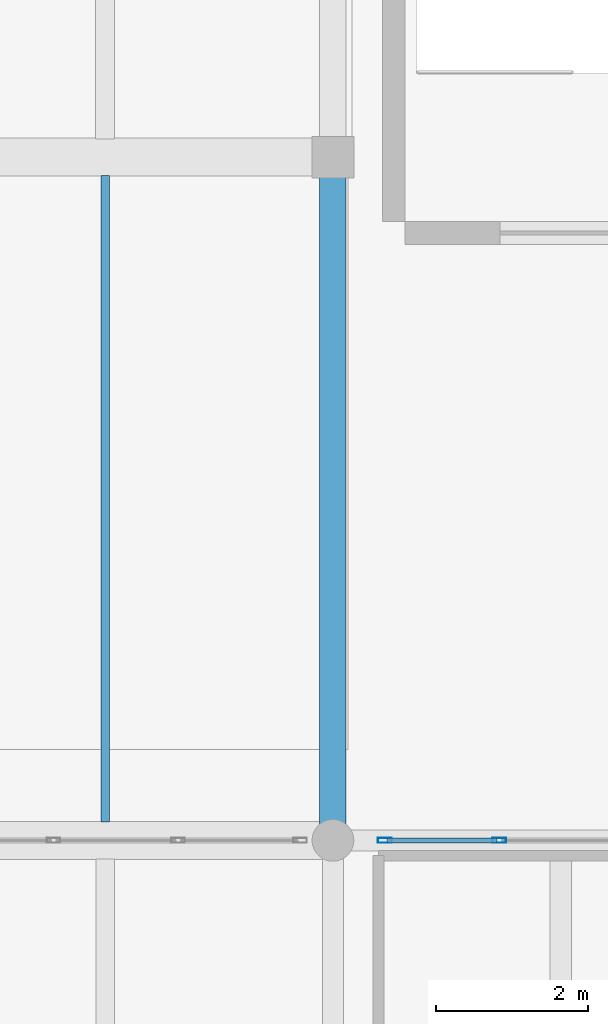
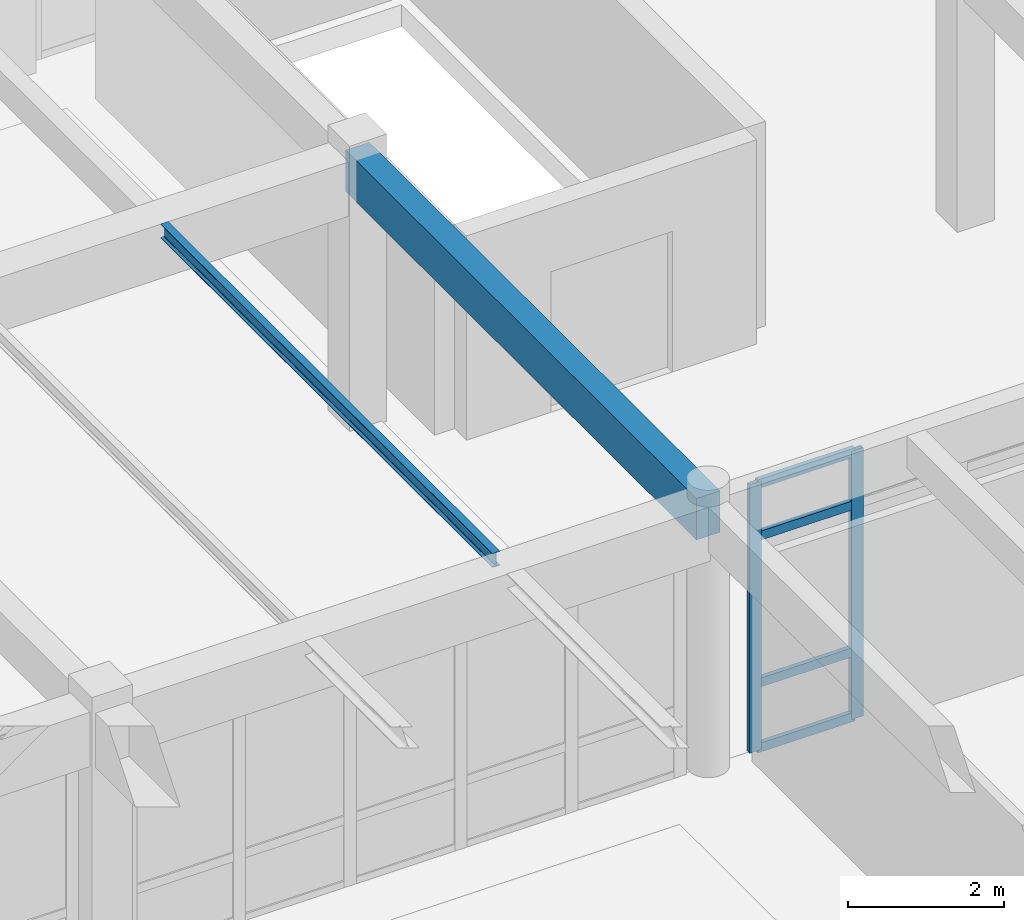
# One storey, part 87 of 186: 6 members, 2 beams, 1 element without a shape of its own.
"""IFC4 building model written with IfcOpenShell, lengths in metres."""

import ifcopenshell
import ifcopenshell.guid

model = None  # the IFC model being written
_history = None  # IfcOwnerHistory: only IFC2X3 demands one
_inside = {}  # id of a spatial element -> (the spatial element, [elements in it])
_under = {}  # id of a project, library or spatial element -> (it, [spatial elements below it])
_declared = {}  # id of a project -> (the project, [libraries it declares])
_typed = {}  # id of a type object -> (the type object, [elements of that type])
_made_of = {}  # id of a material, layer set ... -> (it, [elements and type objects made of it])


def new_model(schema):
    """Start an empty IFC model of exactly this schema.

    Asked for "IFC4X3", IfcOpenShell would pick the latest addendum, in which some entities
    have other attributes; the version numbers below select the first issue.
    IFC2X3 requires an IfcOwnerHistory on every rooted entity: one is made here for all.
    """
    global model, _history
    if schema == "IFC4X3":
        model = ifcopenshell.file(schema_version=(4, 3, 0, 0))
    else:
        model = ifcopenshell.file(schema=schema)
    _inside.clear()
    _under.clear()
    _declared.clear()
    _typed.clear()
    _made_of.clear()
    _history = None
    if model.schema == "IFC2X3":
        org = make("IfcOrganization", Name="unknown")
        user = make(
            "IfcPersonAndOrganization",
            ThePerson=make("IfcPerson", FamilyName="unknown"),
            TheOrganization=org,
        )
        app = make(
            "IfcApplication",
            ApplicationDeveloper=org,
            Version="unknown",
            ApplicationFullName="unknown",
            ApplicationIdentifier="unknown",
        )
        _history = make(
            "IfcOwnerHistory",
            OwningUser=user,
            OwningApplication=app,
            ChangeAction="ADDED",
            CreationDate=0,
        )
    return model


def make(cls, **values):
    """One entity of the class cls with the attributes given. An attribute that is None is left unset."""
    return model.create_entity(
        cls, **{name: value for name, value in values.items() if value is not None}
    )


def rooted(cls, **values):
    """An entity with a GlobalId (a new one), such as an element, a storey or a relation."""
    return make(cls, GlobalId=ifcopenshell.guid.new(), OwnerHistory=_history, **values)


def si_unit(unit_type, name, prefix=None):
    """IfcSIUnit, for example si_unit("LENGTHUNIT", "METRE", prefix="MILLI")."""
    return make("IfcSIUnit", UnitType=unit_type, Prefix=prefix, Name=name)


def assignment(units):
    """IfcUnitAssignment: the units of a project."""
    return None if units is None else make("IfcUnitAssignment", Units=units)


def point(xyz):
    """IfcCartesianPoint."""
    return None if xyz is None else make("IfcCartesianPoint", Coordinates=xyz)


def direction(xyz):
    """IfcDirection."""
    return None if xyz is None else make("IfcDirection", DirectionRatios=xyz)


def frame(location, z_axis=None, x_axis=None):
    """IfcAxis2Placement3D, a coordinate frame: its origin and axes. An axis left out is left unset."""
    return make(
        "IfcAxis2Placement3D",
        Location=point(location),
        Axis=direction(z_axis),
        RefDirection=direction(x_axis),
    )


def frame_2d(location, x_axis=None):
    """IfcAxis2Placement2D, a coordinate frame in the plane: its origin and x axis."""
    return make(
        "IfcAxis2Placement2D", Location=point(location), RefDirection=direction(x_axis)
    )


def origin():
    """The frame at (0, 0, 0) with its axes left unset."""
    return frame((0.0, 0.0, 0.0))


def origin_2d():
    """The frame at (0, 0) in the plane with its x axis left unset."""
    return frame_2d((0.0, 0.0))


def place(relative_to, where):
    """IfcLocalPlacement: puts the frame where relative to a parent placement (None: the world)."""
    return make(
        "IfcLocalPlacement", PlacementRelTo=relative_to, RelativePlacement=where
    )


def context(
    kind, dimensions, precision=None, world=None, true_north=None, identifier=None
):
    """IfcGeometricRepresentationContext, for example the 3D "Model" context."""
    return make(
        "IfcGeometricRepresentationContext",
        ContextIdentifier=identifier,
        ContextType=kind,
        CoordinateSpaceDimension=dimensions,
        Precision=precision,
        WorldCoordinateSystem=world,
        TrueNorth=true_north,
    )


def subcontext(parent, identifier, kind, view, scale=None):
    """IfcGeometricRepresentationSubContext, for example "Body" below "Model"."""
    return make(
        "IfcGeometricRepresentationSubContext",
        ContextIdentifier=identifier,
        ContextType=kind,
        ParentContext=parent,
        TargetScale=scale,
        TargetView=view,
    )


def project(units=None, contexts=None):
    """IfcProject with its units and contexts."""
    return rooted(
        "IfcProject",
        Name="project",
        RepresentationContexts=contexts,
        UnitsInContext=assignment(units),
    )


def spatial(cls, under=None, at=None, **own):
    """A site, building, storey or space (cls), placed at a placement, below another one or the project."""
    s = rooted(cls, ObjectPlacement=at, **own)
    if under is not None:
        _under.setdefault(under.id(), (under, []))[1].append(s)
    return s


def profile(cls, at=None, kind="AREA", **sizes):
    """A parametric profile (cls). Its sizes go by their IFC names, for example OverallWidth=200.0."""
    return make(cls, ProfileType=kind, Position=at, **sizes)


def rectangle(**sizes):
    """IfcRectangleProfileDef."""
    return profile("IfcRectangleProfileDef", **sizes)


def hollow_rectangle(**sizes):
    """IfcRectangleHollowProfileDef."""
    return profile("IfcRectangleHollowProfileDef", **sizes)


def i_section(**sizes):
    """IfcIShapeProfileDef."""
    return profile("IfcIShapeProfileDef", **sizes)


def extrude(swept, where, along, depth):
    """IfcExtrudedAreaSolid: the profile swept, set in the frame where, extruded along a direction by depth."""
    return make(
        "IfcExtrudedAreaSolid",
        SweptArea=swept,
        Position=where,
        ExtrudedDirection=direction(along),
        Depth=depth,
    )


def shape(context_of_items, identifier, shape_type, items):
    """IfcShapeRepresentation: the items that make up one representation, for example the "Body"."""
    return make(
        "IfcShapeRepresentation",
        ContextOfItems=context_of_items,
        RepresentationIdentifier=identifier,
        RepresentationType=shape_type,
        Items=items,
    )


def material(Name=None, Category=None):
    """IfcMaterial."""
    return make("IfcMaterial", Name=Name, Category=Category)


def layer(
    of_material, thickness, ventilated=None, Name=None, Category=None, Priority=None
):
    """IfcMaterialLayer: one layer of a wall or slab, of a material (None: an air gap)."""
    return make(
        "IfcMaterialLayer",
        Material=of_material,
        LayerThickness=thickness,
        IsVentilated=ventilated,
        Name=Name,
        Category=Category,
        Priority=Priority,
    )


def layer_set(layers, Name=None):
    """IfcMaterialLayerSet."""
    return make("IfcMaterialLayerSet", MaterialLayers=layers, LayerSetName=Name)


def material_profile(
    of_material, cross_section, Name=None, Category=None, Priority=None
):
    """IfcMaterialProfile: a cross section and its material."""
    return make(
        "IfcMaterialProfile",
        Name=Name,
        Material=of_material,
        Profile=cross_section,
        Priority=Priority,
        Category=Category,
    )


def profile_set(profiles, Name=None, composite=None):
    """IfcMaterialProfileSet."""
    return make(
        "IfcMaterialProfileSet",
        Name=Name,
        MaterialProfiles=profiles,
        CompositeProfile=composite,
    )


def made_of(thing, what):
    """Note that an element or type object is made of a material, layer set ...; save() writes the relation."""
    if what is not None:
        _made_of.setdefault(what.id(), (what, []))[1].append(thing)
    return thing


def type_object(cls, material=None, **own):
    """A type object (cls), such as IfcWallType, which elements share."""
    return made_of(rooted(cls, **own), material)


def element(
    cls,
    number,
    at=None,
    inside=None,
    cuts=None,
    type_object=None,
    material=None,
    context=None,
    identifier="Body",
    shape_type=None,
    held_by="IfcProductDefinitionShape",
    body=None,
    shapes=None,
    **own,
):
    """One element of the class cls, such as IfcWall. Its Tag is "e" and its number.

    at: its placement. inside: the storey or other place that contains it. cuts: it is an
    opening in that element (IfcRelVoidsElement). A single representation is given by context,
    identifier, shape_type and body (its items); several are given by shapes. held_by: the class
    of the entity that holds the representations. save() writes the other relations.
    """
    e = rooted(cls, Tag="e%d" % number, ObjectPlacement=at, **own)
    if body is not None:
        shapes = [shape(context, identifier, shape_type, body)]
    if shapes is not None:
        e.Representation = make(held_by, Representations=shapes)
    if inside is not None:
        _inside.setdefault(inside.id(), (inside, []))[1].append(e)
    if cuts is not None:
        rooted(
            "IfcRelVoidsElement", RelatingBuildingElement=cuts, RelatedOpeningElement=e
        )
    if type_object is not None:
        _typed.setdefault(type_object.id(), (type_object, []))[1].append(e)
    return made_of(e, material)


def aggregate(whole, parts):
    """IfcRelAggregates: a whole, such as a stair, and the parts it consists of."""
    return rooted("IfcRelAggregates", RelatingObject=whole, RelatedObjects=parts)


def save(model, path):
    """Write the relations noted so far, then the file.

    IfcRelAggregates (storeys below a building ...), IfcRelContainedInSpatialStructure (elements
    in a storey), IfcRelDefinesByType, IfcRelAssociatesMaterial and IfcRelDeclares: one each for
    every whole, place, type object, material and project.
    """
    for whole, parts in _under.values():
        aggregate(whole, parts)
    for where, things in _inside.values():
        rooted(
            "IfcRelContainedInSpatialStructure",
            RelatedElements=things,
            RelatingStructure=where,
        )
    for kind, things in _typed.values():
        rooted("IfcRelDefinesByType", RelatedObjects=things, RelatingType=kind)
    for what, things in _made_of.values():
        rooted("IfcRelAssociatesMaterial", RelatedObjects=things, RelatingMaterial=what)
    for by, libraries in _declared.values():
        rooted("IfcRelDeclares", RelatingContext=by, RelatedDefinitions=libraries)
    model.write(path)


model = new_model("IFC4")

# Units and contexts
model_context = context("Model", 3, precision=1e-05, world=origin(), true_north=direction((0.0, 1.0)))
body_context = subcontext(model_context, "Body", "Model", "MODEL_VIEW")
ifc_project = project(units=[si_unit("LENGTHUNIT", "METRE"), si_unit("AREAUNIT", "SQUARE_METRE"), si_unit("VOLUMEUNIT", "CUBIC_METRE"), si_unit("PLANEANGLEUNIT", "RADIAN"), si_unit("MASSUNIT", "GRAM", prefix="KILO")], contexts=[model_context])

# Site, building, storey
site_placement = place(None, origin())
site = spatial("IfcSite", under=ifc_project, at=site_placement, CompositionType="ELEMENT")
building_placement = place(site_placement, origin())
building = spatial("IfcBuilding", under=site, at=building_placement, Name="Ornek Quay Market", CompositionType="ELEMENT")
storey_placement = place(building_placement, origin())
storey = spatial("IfcBuildingStorey", under=building, at=storey_placement, Name="L00", CompositionType="ELEMENT", Elevation=0.0)

# Beams
ifc_material_1 = material(Name="Concrete C35/45", Category="concrete")
ifc_material_profile_1 = material_profile(ifc_material_1, rectangle(XDim=0.35009765625, YDim=0.64990234375, at=origin_2d()), Name="RC 350x650", Category="concrete")
ifc_profile_set_1 = profile_set([ifc_material_profile_1], Name="Concrete C35/45")
beam_type_1 = type_object("IfcBeamType", Name="BM-CONC-350x650", PredefinedType="BEAM", material=ifc_profile_set_1)
beam_1_placement = place(storey_placement, frame((108.0, 92.0, 3.9150390625), z_axis=(0.0, 1.0, 0.0), x_axis=(-1.0, 0.0, 0.0)))
element("IfcBeam", 1, at=beam_1_placement, inside=storey, type_object=beam_type_1, Name="Primary beam B-CN1-107", PredefinedType="BEAM", context=body_context, shape_type="SweptSolid", body=[
    extrude(rectangle(XDim=0.35009765625, YDim=0.64990234375, at=origin_2d()), origin(), (0.0, 0.0, 1.0), 9.0),
])
ifc_material_2 = material(Name="Steel S355", Category="steel")
ifc_material_profile_2 = material_profile(ifc_material_2, i_section(OverallWidth=0.110107421875, OverallDepth=0.219970703125, WebThickness=0.005859375, FlangeThickness=0.00927734375, FilletRadius=0.011962890625, at=origin_2d()), Name="IPE 220", Category="steel")
ifc_profile_set_2 = profile_set([ifc_material_profile_2], Name="Steel S355")
beam_type_2 = type_object("IfcBeamType", Name="BM-STL-IPE220", PredefinedType="JOIST", material=ifc_profile_set_2)
beam_2_placement = place(storey_placement, frame((105.0, 92.241943359375, 4.1298828125), z_axis=(0.0, 1.0, 0.0), x_axis=(-1.0, 0.0, 0.0)))
element("IfcBeam", 2, at=beam_2_placement, inside=storey, type_object=beam_type_2, Name="Secondary joist SB-03-019", PredefinedType="JOIST", context=body_context, shape_type="SweptSolid", body=[
    extrude(i_section(OverallWidth=0.110107421875, OverallDepth=0.219970703125, WebThickness=0.005859375, FlangeThickness=0.00927734375, FilletRadius=0.011962890625, at=origin_2d()), origin(), (0.0, 0.0, 1.0), 8.51611328125),
])

# Curtain wall, members
ifc_material_3 = material(Name="Anodised bronze aluminium and triple low-e glass", Category="aluminium")
ifc_layer = layer(ifc_material_3, 0.139892578125, Name="Anodised bronze aluminium and triple low-e glass", Category="aluminium")
ifc_layer_set = layer_set([ifc_layer], Name="Anodised bronze aluminium and triple low-e glass")
curtain_wall_type = type_object("IfcCurtainWallType", Name="CW-GALLERY-INT", PredefinedType="USERDEFINED", material=ifc_layer_set)
curtain_wall_placement = place(storey_placement, origin())
curtain_wall = element("IfcCurtainWall", 3, at=curtain_wall_placement, inside=storey, type_object=curtain_wall_type, Name="Curtain wall CW-126", ObjectType="CURTAIN WALL", PredefinedType="USERDEFINED")
ifc_material_4 = material(Name="Anodised aluminium 6063-T6", Category="aluminium")
ifc_material_profile_3 = material_profile(ifc_material_4, hollow_rectangle(XDim=0.06494140625, YDim=0.179931640625, WallThickness=0.00439453125, at=origin_2d()), Name="CW-MUL-65x180", Category="aluminium")
ifc_profile_set_3 = profile_set([ifc_material_profile_3], Name="Anodised aluminium 6063-T6")
member_type_1 = type_object("IfcMemberType", Name="CW-MUL-65x180", PredefinedType="MULLION", material=ifc_profile_set_3)
member_1_placement = place(storey_placement, frame((108.6826171875, 92.0, 0.0), z_axis=(0.0, 0.0, 1.0), x_axis=(0.0, 1.0, 0.0)))
member_1 = element("IfcMember", 4, at=member_1_placement, type_object=member_type_1, Name="CW-126 mullion 1", PredefinedType="MULLION", context=body_context, shape_type="SweptSolid", body=[
    extrude(hollow_rectangle(XDim=0.06494140625, YDim=0.179931640625, WallThickness=0.00439453125, at=origin_2d()), origin(), (0.0, 0.0, 1.0), 4.199951171875),
])
member_2_placement = place(storey_placement, frame((110.18994140625, 92.0, 0.0), z_axis=(0.0, 0.0, 1.0), x_axis=(0.0, 1.0, 0.0)))
member_2 = element("IfcMember", 5, at=member_2_placement, type_object=member_type_1, Name="CW-126 mullion 2", PredefinedType="MULLION", context=body_context, shape_type="SweptSolid", body=[
    extrude(hollow_rectangle(XDim=0.06494140625, YDim=0.179931640625, WallThickness=0.00439453125, at=origin_2d()), origin(), (0.0, 0.0, 1.0), 4.199951171875),
])
ifc_material_profile_4 = material_profile(ifc_material_4, hollow_rectangle(XDim=0.06494140625, YDim=0.139892578125, WallThickness=0.00439453125, at=origin_2d()), Name="CW-TRN-65x140", Category="aluminium")
ifc_profile_set_4 = profile_set([ifc_material_profile_4], Name="Anodised aluminium 6063-T6")
member_type_2 = type_object("IfcMemberType", Name="CW-TRN-65x140", PredefinedType="USERDEFINED", material=ifc_profile_set_4)
member_3_placement = place(storey_placement, frame((108.715087890625, 92.0, 0.032470703125), z_axis=(1.0, 0.0, 0.0), x_axis=(0.0, 1.0, 0.0)))
member_3 = element("IfcMember", 6, at=member_3_placement, type_object=member_type_2, Name="CW-126 transom 1.1", ObjectType="TRANSOM", PredefinedType="USERDEFINED", context=body_context, shape_type="SweptSolid", body=[
    extrude(hollow_rectangle(XDim=0.06494140625, YDim=0.139892578125, WallThickness=0.00439453125, at=origin_2d()), origin(), (0.0, 0.0, 1.0), 1.4423828125),
])
member_4_placement = place(storey_placement, frame((108.715087890625, 92.0, 1.050048828125), z_axis=(1.0, 0.0, 0.0), x_axis=(0.0, 1.0, 0.0)))
member_4 = element("IfcMember", 7, at=member_4_placement, type_object=member_type_2, Name="CW-126 transom 1.2", ObjectType="TRANSOM", PredefinedType="USERDEFINED", context=body_context, shape_type="SweptSolid", body=[
    extrude(hollow_rectangle(XDim=0.06494140625, YDim=0.139892578125, WallThickness=0.00439453125, at=origin_2d()), origin(), (0.0, 0.0, 1.0), 1.4423828125),
])
member_5_placement = place(storey_placement, frame((108.715087890625, 92.0, 3.35009765625), z_axis=(1.0, 0.0, 0.0), x_axis=(0.0, 1.0, 0.0)))
member_5 = element("IfcMember", 8, at=member_5_placement, type_object=member_type_2, Name="CW-126 transom 1.3", ObjectType="TRANSOM", PredefinedType="USERDEFINED", context=body_context, shape_type="SweptSolid", body=[
    extrude(hollow_rectangle(XDim=0.06494140625, YDim=0.139892578125, WallThickness=0.00439453125, at=origin_2d()), origin(), (0.0, 0.0, 1.0), 1.4423828125),
])
member_6_placement = place(storey_placement, frame((108.715087890625, 92.0, 4.16748046875), z_axis=(1.0, 0.0, 0.0), x_axis=(0.0, 1.0, 0.0)))
member_6 = element("IfcMember", 9, at=member_6_placement, type_object=member_type_2, Name="CW-126 transom 1.4", ObjectType="TRANSOM", PredefinedType="USERDEFINED", context=body_context, shape_type="SweptSolid", body=[
    extrude(hollow_rectangle(XDim=0.06494140625, YDim=0.139892578125, WallThickness=0.00439453125, at=origin_2d()), origin(), (0.0, 0.0, 1.0), 1.4423828125),
])
aggregate(curtain_wall, [member_1, member_2, member_3, member_4, member_5, member_6])

save(model, "model.ifc")
